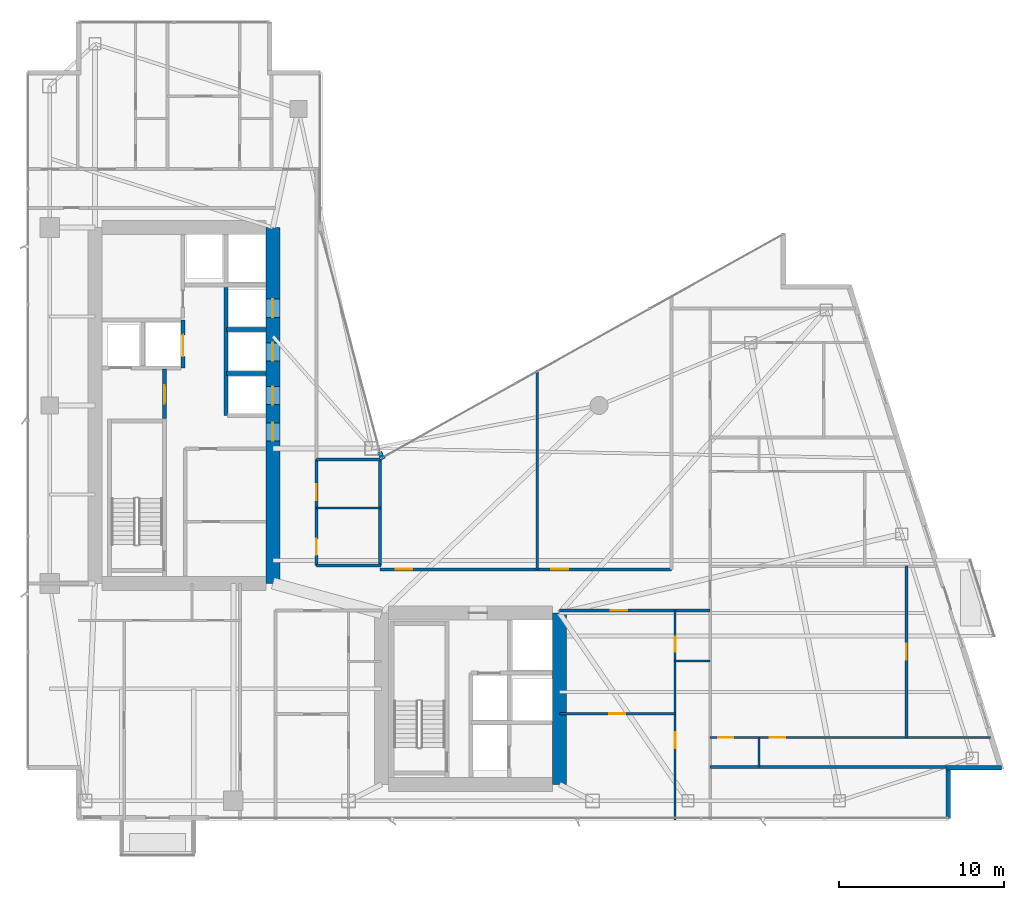
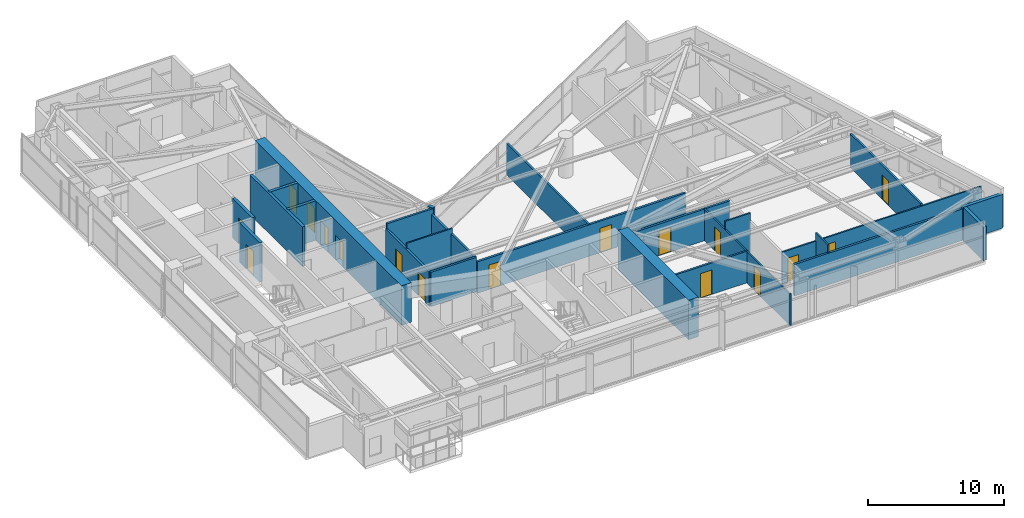
# One storey, part 23 of 28: 25 walls, 17 doors, 17 openings.
"""IFC4 building model written with IfcOpenShell, lengths in metres."""

from ifc_helpers import new_model, si_unit, direction, frame, frame_2d, origin, place, context, subcontext, project, spatial, rectangle, extrude, material, layer, layer_set, type_object, element, fill, save


model = new_model("IFC4")

# Units and contexts
model_context = context("Model", 3, precision=1e-05, world=origin(), true_north=direction((0.0, 1.0)))
body_context = subcontext(model_context, "Body", "Model", "MODEL_VIEW")
ifc_project = project(units=[si_unit("LENGTHUNIT", "METRE"), si_unit("AREAUNIT", "SQUARE_METRE"), si_unit("VOLUMEUNIT", "CUBIC_METRE"), si_unit("PLANEANGLEUNIT", "RADIAN"), si_unit("MASSUNIT", "GRAM", prefix="KILO")], contexts=[model_context])

# Site, building, storey
site_placement = place(None, origin())
site = spatial("IfcSite", under=ifc_project, at=site_placement, CompositionType="ELEMENT")
building_placement = place(site_placement, origin())
building = spatial("IfcBuilding", under=site, at=building_placement, Name="Calvorn Quay Hotel", CompositionType="ELEMENT")
storey_placement = place(building_placement, frame((0.0, 0.0, 127.800048828125)))
storey = spatial("IfcBuildingStorey", under=building, at=storey_placement, Name="L31", CompositionType="ELEMENT", Elevation=127.800048828125)

# Wall, openings, doors
ifc_material_1 = material(Name="Concrete C50", Category="concrete")
ifc_layer_1 = layer(ifc_material_1, 0.85009765625)
ifc_layer_set_1 = layer_set([ifc_layer_1], Name="WL-CORE-850")
wall_type_1 = type_object("IfcWallType", Name="WL-CORE-850", PredefinedType="SHEAR", material=ifc_layer_set_1)
wall_1_placement = place(storey_placement, frame((15.0, 16.800048828125, 0.0), z_axis=(0.0, 0.0, 1.0), x_axis=(0.0, 1.0, 0.0)))
wall_1 = element("IfcWall", 1, at=wall_1_placement, inside=storey, type_object=wall_type_1, Name="West Core Shear Wall E (L31)", PredefinedType="SHEAR", context=body_context, shape_type="SweptSolid", body=[
    extrude(rectangle(XDim=21.599853515625, YDim=0.85009765625, at=frame_2d((10.7998046875, 0.0))), origin(), (0.0, 0.0, 1.0), 3.56005859375),
])
opening_1_placement = place(wall_1_placement, frame((8.64990234375, 0.0, 0.0)))
opening_1 = element("IfcOpeningElement", 2, at=opening_1_placement, cuts=wall_1, Name="Opening D-L31-CW1", PredefinedType="OPENING", context=body_context, shape_type="SweptSolid", body=[
    extrude(rectangle(XDim=1.10009765625, YDim=2.199951171875, at=frame_2d((0.550048828125, 1.10009765625))), frame((0.0, 0.43505859375, 0.0), z_axis=(0.0, -1.0, 0.0), x_axis=(1.0, 0.0, 0.0)), (0.0, 0.0, 1.0), 0.8701171875),
])
opening_2_placement = place(wall_1_placement, frame((10.85009765625, 0.0, 0.0)))
opening_2 = element("IfcOpeningElement", 3, at=opening_2_placement, cuts=wall_1, Name="Opening LD-L31-M1", PredefinedType="OPENING", context=body_context, shape_type="SweptSolid", body=[
    extrude(rectangle(XDim=1.10009765625, YDim=2.199951171875, at=frame_2d((0.550048828125, 1.10009765625))), frame((0.0, 0.43505859375, 0.0), z_axis=(0.0, -1.0, 0.0), x_axis=(1.0, 0.0, 0.0)), (0.0, 0.0, 1.0), 0.8701171875),
])
opening_3_placement = place(wall_1_placement, frame((13.5, 0.0, 0.0)))
opening_3 = element("IfcOpeningElement", 4, at=opening_3_placement, cuts=wall_1, Name="Opening LD-L31-M2", PredefinedType="OPENING", context=body_context, shape_type="SweptSolid", body=[
    extrude(rectangle(XDim=1.10009765625, YDim=2.199951171875, at=frame_2d((0.550048828125, 1.10009765625))), frame((0.0, 0.43505859375, 0.0), z_axis=(0.0, -1.0, 0.0), x_axis=(1.0, 0.0, 0.0)), (0.0, 0.0, 1.0), 0.8701171875),
])
opening_4_placement = place(wall_1_placement, frame((16.14990234375, 0.0, 0.0)))
opening_4 = element("IfcOpeningElement", 5, at=opening_4_placement, cuts=wall_1, Name="Opening LD-L31-M3", PredefinedType="OPENING", context=body_context, shape_type="SweptSolid", body=[
    extrude(rectangle(XDim=1.10009765625, YDim=2.199951171875, at=frame_2d((0.550048828125, 1.10009765625))), frame((0.0, 0.43505859375, 0.0), z_axis=(0.0, -1.0, 0.0), x_axis=(1.0, 0.0, 0.0)), (0.0, 0.0, 1.0), 0.8701171875),
])
ifc_material_2 = material(Name="Smoke-Sealed Steel Class A Fire Door", Category="steel")
door_type_1 = type_object("IfcDoorType", Name="DR-FFLOBBY-1100", OperationType="NOTDEFINED", PredefinedType="DOOR", material=ifc_material_2)
door_1_placement = place(opening_1_placement, origin())
door_1 = element("IfcDoor", 6, at=door_1_placement, inside=storey, type_object=door_type_1, Name="West Core Vestibule Fire Door (L31)", OperationType="SINGLE_SWING_RIGHT", OverallHeight=2.199951171875, OverallWidth=1.10009765625, PredefinedType="DOOR", context=body_context, shape_type="SweptSolid", body=[
    extrude(rectangle(XDim=1.10009765625, YDim=2.199951171875, at=frame_2d((0.550048828125, 1.10009765625))), frame((0.0, 0.02490234375, 0.0), z_axis=(0.0, -1.0, 0.0), x_axis=(1.0, 0.0, 0.0)), (0.0, 0.0, 1.0), 0.050048828125),
])
fill(opening_1, door_1)
ifc_material_3 = material(Name="Brushed Stainless Steel Sliding Lift Landing Door", Category="steel")
door_type_2 = type_object("IfcDoorType", Name="DR-LIFT-PASS-1100", OperationType="NOTDEFINED", PredefinedType="DOOR", material=ifc_material_3)
door_2_placement = place(opening_2_placement, origin())
door_2 = element("IfcDoor", 7, at=door_2_placement, inside=storey, type_object=door_type_2, Name="Mid-Rise Lift PL-M1 Landing Door (L31)", OperationType="DOUBLE_DOOR_SLIDING", OverallHeight=2.199951171875, OverallWidth=1.10009765625, PredefinedType="DOOR", context=body_context, shape_type="SweptSolid", body=[
    extrude(rectangle(XDim=1.10009765625, YDim=2.199951171875, at=frame_2d((0.550048828125, 1.10009765625))), frame((0.0, 0.02490234375, 0.0), z_axis=(0.0, -1.0, 0.0), x_axis=(1.0, 0.0, 0.0)), (0.0, 0.0, 1.0), 0.050048828125),
])
fill(opening_2, door_2)
door_3_placement = place(opening_3_placement, origin())
door_3 = element("IfcDoor", 8, at=door_3_placement, inside=storey, type_object=door_type_2, Name="Mid-Rise Lift PL-M2 Landing Door (L31)", OperationType="DOUBLE_DOOR_SLIDING", OverallHeight=2.199951171875, OverallWidth=1.10009765625, PredefinedType="DOOR", context=body_context, shape_type="SweptSolid", body=[
    extrude(rectangle(XDim=1.10009765625, YDim=2.199951171875, at=frame_2d((0.550048828125, 1.10009765625))), frame((0.0, 0.02490234375, 0.0), z_axis=(0.0, -1.0, 0.0), x_axis=(1.0, 0.0, 0.0)), (0.0, 0.0, 1.0), 0.050048828125),
])
fill(opening_3, door_3)
door_4_placement = place(opening_4_placement, origin())
door_4 = element("IfcDoor", 9, at=door_4_placement, inside=storey, type_object=door_type_2, Name="Mid-Rise Lift PL-M3 Landing Door (L31)", OperationType="DOUBLE_DOOR_SLIDING", OverallHeight=2.199951171875, OverallWidth=1.10009765625, PredefinedType="DOOR", context=body_context, shape_type="SweptSolid", body=[
    extrude(rectangle(XDim=1.10009765625, YDim=2.199951171875, at=frame_2d((0.550048828125, 1.10009765625))), frame((0.0, 0.02490234375, 0.0), z_axis=(0.0, -1.0, 0.0), x_axis=(1.0, 0.0, 0.0)), (0.0, 0.0, 1.0), 0.050048828125),
])
fill(opening_4, door_4)

# Walls
wall_2_placement = place(storey_placement, frame((32.39990234375, 4.60009765625, 0.0), z_axis=(0.0, 0.0, 1.0), x_axis=(0.0, 1.0, 0.0)))
element("IfcWall", 10, at=wall_2_placement, inside=storey, type_object=wall_type_1, Name="East Core Shear Wall E (L31)", PredefinedType="SHEAR", context=body_context, shape_type="SweptSolid", body=[
    extrude(rectangle(XDim=10.39990234375, YDim=0.85009765625, at=frame_2d((5.199951171875, 0.0))), origin(), (0.0, 0.0, 1.0), 3.56005859375),
])
ifc_material_4 = material(Name="Acoustic Fireboard Steel-Stud Partition", Category="steel")
ifc_layer_2 = layer(ifc_material_4, 0.179931640625)
ifc_layer_set_2 = layer_set([ifc_layer_2], Name="WL-CORR-FIRE-180")
wall_type_2 = type_object("IfcWallType", Name="WL-CORR-FIRE-180", PredefinedType="PARTITIONING", material=ifc_layer_set_2)
wall_3_placement = place(storey_placement, frame((17.64990234375, 17.8798828125, 0.0), z_axis=(0.0, 0.0, 1.0), x_axis=(1.0, 0.0, 0.0)))
element("IfcWall", 11, at=wall_3_placement, inside=storey, type_object=wall_type_2, Name="Partition Wall L31-WL-HK-S", PredefinedType="PARTITIONING", context=body_context, shape_type="SweptSolid", body=[
    extrude(rectangle(XDim=3.900146484375, YDim=0.179931640625, at=frame_2d((1.9501953125, 0.0))), origin(), (0.0, 0.0, 1.0), 3.08984375),
])
wall_4_placement = place(storey_placement, frame((17.64990234375, 24.320068359375, 0.0), z_axis=(0.0, 0.0, 1.0), x_axis=(1.0, 0.0, 0.0)))
element("IfcWall", 12, at=wall_4_placement, inside=storey, type_object=wall_type_2, Name="Partition Wall L31-WL-HK-N", PredefinedType="PARTITIONING", context=body_context, shape_type="SweptSolid", body=[
    extrude(rectangle(XDim=3.9501953125, YDim=0.179931640625, at=frame_2d((1.97509765625, 0.0))), origin(), (0.0, 0.0, 1.0), 3.56005859375),
])
wall_5_placement = place(storey_placement, frame((21.5, 17.8798828125, 0.0), z_axis=(0.0, 0.0, 1.0), x_axis=(0.0, 1.0, 0.0)))
element("IfcWall", 13, at=wall_5_placement, inside=storey, type_object=wall_type_2, Name="Partition Wall L31-WL-HK-E", PredefinedType="PARTITIONING", context=body_context, shape_type="SweptSolid", body=[
    extrude(rectangle(XDim=6.440185546875, YDim=0.179931640625, at=frame_2d((3.22021484375, 0.0))), origin(), (0.0, 0.0, 1.0), 3.08984375),
])

# Wall, openings, doors
wall_6_placement = place(storey_placement, frame((17.64990234375, 17.8798828125, 0.0), z_axis=(0.0, 0.0, 1.0), x_axis=(0.0, 1.0, 0.0)))
wall_6 = element("IfcWall", 14, at=wall_6_placement, inside=storey, type_object=wall_type_2, Name="Partition Wall L31-WL-HK-W", PredefinedType="PARTITIONING", context=body_context, shape_type="SweptSolid", body=[
    extrude(rectangle(XDim=6.440185546875, YDim=0.179931640625, at=frame_2d((3.22021484375, 0.0))), origin(), (0.0, 0.0, 1.0), 3.08984375),
])
opening_5_placement = place(wall_6_placement, frame((0.64990234375, 0.0, 0.0)))
opening_5 = element("IfcOpeningElement", 15, at=opening_5_placement, cuts=wall_6, Name="Opening D-L31-HK", PredefinedType="OPENING", context=body_context, shape_type="SweptSolid", body=[
    extrude(rectangle(XDim=0.97998046875, YDim=2.14990234375, at=frame_2d((0.489990234375, 1.074951171875))), frame((0.0, 0.099853515625, 0.0), z_axis=(0.0, -1.0, 0.0), x_axis=(1.0, 0.0, 0.0)), (0.0, 0.0, 1.0), 0.199951171875),
])
opening_6_placement = place(wall_6_placement, frame((3.969970703125, 0.0, 0.0)))
opening_6 = element("IfcOpeningElement", 16, at=opening_6_placement, cuts=wall_6, Name="Opening D-L31-NCP", PredefinedType="OPENING", context=body_context, shape_type="SweptSolid", body=[
    extrude(rectangle(XDim=0.9599609375, YDim=2.199951171875, at=frame_2d((0.47998046875, 1.10009765625))), frame((0.0, 0.099853515625, 0.0), z_axis=(0.0, -1.0, 0.0), x_axis=(1.0, 0.0, 0.0)), (0.0, 0.0, 1.0), 0.199951171875),
])
ifc_material_5 = material(Name="Painted Steel Housekeeping/Riser Fire Door", Category="steel")
door_type_3 = type_object("IfcDoorType", Name="DR-SERVICE-980", OperationType="NOTDEFINED", PredefinedType="DOOR", material=ifc_material_5)
door_5_placement = place(opening_5_placement, origin())
door_5 = element("IfcDoor", 17, at=door_5_placement, inside=storey, type_object=door_type_3, Name="Floor Housekeeping Door (L31)", OperationType="SINGLE_SWING_LEFT", OverallHeight=2.14990234375, OverallWidth=0.97998046875, PredefinedType="DOOR", context=body_context, shape_type="SweptSolid", body=[
    extrude(rectangle(XDim=0.97998046875, YDim=2.14990234375, at=frame_2d((0.489990234375, 1.074951171875))), frame((0.0, 0.02490234375, 0.0), z_axis=(0.0, -1.0, 0.0), x_axis=(1.0, 0.0, 0.0)), (0.0, 0.0, 1.0), 0.050048828125),
])
fill(opening_5, door_5)
ifc_material_6 = material(Name="Solid Timber Internal Suite Door", Category="wood")
door_type_4 = type_object("IfcDoorType", Name="DR-SUITE-INT-960", OperationType="NOTDEFINED", PredefinedType="DOOR", material=ifc_material_6)
door_6_placement = place(opening_6_placement, origin())
door_6 = element("IfcDoor", 18, at=door_6_placement, inside=storey, type_object=door_type_4, Name="Reading Alcove Door (L31)", OperationType="SINGLE_SWING_RIGHT", OverallHeight=2.199951171875, OverallWidth=0.9599609375, PredefinedType="DOOR", context=body_context, shape_type="SweptSolid", body=[
    extrude(rectangle(XDim=0.9599609375, YDim=2.199951171875, at=frame_2d((0.47998046875, 1.10009765625))), frame((0.0, 0.02490234375, 0.0), z_axis=(0.0, -1.0, 0.0), x_axis=(1.0, 0.0, 0.0)), (0.0, 0.0, 1.0), 0.050048828125),
])
fill(opening_6, door_6)

# Wall, opening, door
wall_7_placement = place(storey_placement, frame((32.39990234375, 15.14990234375, 0.0), z_axis=(0.0, 0.0, 1.0), x_axis=(1.0, 0.0, 0.0)))
wall_7 = element("IfcWall", 19, at=wall_7_placement, inside=storey, type_object=wall_type_2, Name="Partition Wall L31-WL-CORR-SE-S", PredefinedType="PARTITIONING", context=body_context, shape_type="SweptSolid", body=[
    extrude(rectangle(XDim=9.150146484375, YDim=0.179931640625, at=frame_2d((4.5751953125, 0.0))), origin(), (0.0, 0.0, 1.0), 2.83984375),
])
opening_7_placement = place(wall_7_placement, frame((3.10009765625, 0.0, 0.0)))
opening_7 = element("IfcOpeningElement", 20, at=opening_7_placement, cuts=wall_7, Name="Opening D-L31-U05", PredefinedType="OPENING", context=body_context, shape_type="SweptSolid", body=[
    extrude(rectangle(XDim=1.02001953125, YDim=2.199951171875, at=frame_2d((0.510009765625, 1.10009765625))), frame((0.0, 0.099853515625, 0.0), z_axis=(0.0, -1.0, 0.0), x_axis=(1.0, 0.0, 0.0)), (0.0, 0.0, 1.0), 0.199951171875),
])
ifc_material_7 = material(Name="Solid-Core Walnut Veneer Hotel Fire Door")
door_type_5 = type_object("IfcDoorType", Name="DR-GUEST-ENTRY-1020", OperationType="NOTDEFINED", PredefinedType="DOOR", material=ifc_material_7)
door_7_placement = place(opening_7_placement, origin())
door_7 = element("IfcDoor", 21, at=door_7_placement, inside=storey, type_object=door_type_5, Name="South-East Unit Door U05 (L31)", OperationType="SINGLE_SWING_LEFT", OverallHeight=2.199951171875, OverallWidth=1.02001953125, PredefinedType="DOOR", context=body_context, shape_type="SweptSolid", body=[
    extrude(rectangle(XDim=1.02001953125, YDim=2.199951171875, at=frame_2d((0.510009765625, 1.10009765625))), frame((0.0, 0.02490234375, 0.0), z_axis=(0.0, -1.0, 0.0), x_axis=(1.0, 0.0, 0.0)), (0.0, 0.0, 1.0), 0.050048828125),
])
fill(opening_7, door_7)

# Wall, openings, doors
wall_8_placement = place(storey_placement, frame((21.5, 17.64990234375, 0.0), z_axis=(0.0, 0.0, 1.0), x_axis=(1.0, 0.0, 0.0)))
wall_8 = element("IfcWall", 22, at=wall_8_placement, inside=storey, type_object=wall_type_2, Name="Partition Wall L31-WL-CORR-NE-N", PredefinedType="PARTITIONING", context=body_context, shape_type="SweptSolid", body=[
    extrude(rectangle(XDim=17.699951171875, YDim=0.179931640625, at=frame_2d((8.85009765625, 0.0))), origin(), (0.0, 0.0, 1.0), 2.83984375),
])
opening_8_placement = place(wall_8_placement, frame((0.949951171875, 0.0, 0.0)))
opening_8 = element("IfcOpeningElement", 23, at=opening_8_placement, cuts=wall_8, Name="Opening D-L31-NS1", PredefinedType="OPENING", context=body_context, shape_type="SweptSolid", body=[
    extrude(rectangle(XDim=1.02001953125, YDim=2.199951171875, at=frame_2d((0.510009765625, 1.10009765625))), frame((0.0, 0.099853515625, 0.0), z_axis=(0.0, -1.0, 0.0), x_axis=(1.0, 0.0, 0.0)), (0.0, 0.0, 1.0), 0.199951171875),
])
opening_9_placement = place(wall_8_placement, frame((10.39990234375, 0.0, 0.0)))
opening_9 = element("IfcOpeningElement", 24, at=opening_9_placement, cuts=wall_8, Name="Opening D-L31-NS2", PredefinedType="OPENING", context=body_context, shape_type="SweptSolid", body=[
    extrude(rectangle(XDim=1.02001953125, YDim=2.199951171875, at=frame_2d((0.510009765625, 1.10009765625))), frame((0.0, 0.099853515625, 0.0), z_axis=(0.0, -1.0, 0.0), x_axis=(1.0, 0.0, 0.0)), (0.0, 0.0, 1.0), 0.199951171875),
])
door_8_placement = place(opening_8_placement, origin())
door_8 = element("IfcDoor", 25, at=door_8_placement, inside=storey, type_object=door_type_5, Name="Conservatory Salon Door 1 (L31)", OperationType="SINGLE_SWING_RIGHT", OverallHeight=2.199951171875, OverallWidth=1.02001953125, PredefinedType="DOOR", context=body_context, shape_type="SweptSolid", body=[
    extrude(rectangle(XDim=1.02001953125, YDim=2.199951171875, at=frame_2d((0.510009765625, 1.10009765625))), frame((0.0, 0.02490234375, 0.0), z_axis=(0.0, -1.0, 0.0), x_axis=(1.0, 0.0, 0.0)), (0.0, 0.0, 1.0), 0.050048828125),
])
fill(opening_8, door_8)
door_9_placement = place(opening_9_placement, origin())
door_9 = element("IfcDoor", 26, at=door_9_placement, inside=storey, type_object=door_type_5, Name="Conservatory Salon Door 2 (L31)", OperationType="SINGLE_SWING_LEFT", OverallHeight=2.199951171875, OverallWidth=1.02001953125, PredefinedType="DOOR", context=body_context, shape_type="SweptSolid", body=[
    extrude(rectangle(XDim=1.02001953125, YDim=2.199951171875, at=frame_2d((0.510009765625, 1.10009765625))), frame((0.0, 0.02490234375, 0.0), z_axis=(0.0, -1.0, 0.0), x_axis=(1.0, 0.0, 0.0)), (0.0, 0.0, 1.0), 0.050048828125),
])
fill(opening_9, door_9)

# Walls
wall_9_placement = place(storey_placement, frame((41.550048828125, 5.659912109375, 0.0), z_axis=(0.0, 0.0, 1.0), x_axis=(1.0, 0.0, 0.0)))
element("IfcWall", 27, at=wall_9_placement, inside=storey, type_object=wall_type_2, Name="Partition Wall L31-WL-TIP-S", PredefinedType="PARTITIONING", context=body_context, shape_type="SweptSolid", body=[
    extrude(rectangle(XDim=14.449951171875, YDim=0.179931640625, at=frame_2d((7.22509765625, 0.0))), origin(), (0.0, 0.0, 1.0), 2.83984375),
])
ifc_material_8 = material(Name="Moisture-Resistant Tile-Backed Partition")
ifc_layer_3 = layer(ifc_material_8, 0.125)
ifc_layer_set_3 = layer_set([ifc_layer_3], Name="WL-ENSUITE-125")
wall_type_3 = type_object("IfcWallType", Name="WL-ENSUITE-125", PredefinedType="PARTITIONING", material=ifc_layer_set_3)
wall_10_placement = place(storey_placement, frame((17.64990234375, 21.3798828125, 0.0), z_axis=(0.0, 0.0, 1.0), x_axis=(1.0, 0.0, 0.0)))
element("IfcWall", 28, at=wall_10_placement, inside=storey, type_object=wall_type_3, Name="Partition Wall L31-WL-HK-M", PredefinedType="PARTITIONING", context=body_context, shape_type="SweptSolid", body=[
    extrude(rectangle(XDim=3.900146484375, YDim=0.125, at=frame_2d((1.9501953125, 0.0))), origin(), (0.0, 0.0, 1.0), 3.56005859375),
])
wall_11_placement = place(storey_placement, frame((39.419921875, 12.10009765625, 0.0), z_axis=(0.0, 0.0, 1.0), x_axis=(1.0, 0.0, 0.0)))
element("IfcWall", 29, at=wall_11_placement, inside=storey, type_object=wall_type_3, Name="Partition Wall L31-WL-U05-BDV", PredefinedType="PARTITIONING", context=body_context, shape_type="SweptSolid", body=[
    extrude(rectangle(XDim=2.130126953125, YDim=0.125, at=frame_2d((1.06494140625, 0.0))), origin(), (0.0, 0.0, 1.0), 3.56005859375),
])

# Wall, openings, doors
wall_12_placement = place(storey_placement, frame((39.419921875, 2.43994140625, 0.0), z_axis=(0.0, 0.0, 1.0), x_axis=(0.0, 1.0, 0.0)))
wall_12 = element("IfcWall", 30, at=wall_12_placement, inside=storey, type_object=wall_type_3, Name="Partition Wall L31-WL-U05-BV", PredefinedType="PARTITIONING", context=body_context, shape_type="SweptSolid", body=[
    extrude(rectangle(XDim=12.7099609375, YDim=0.125, at=frame_2d((6.35498046875, 0.0))), origin(), (0.0, 0.0, 1.0), 2.83984375),
])
opening_10_placement = place(wall_12_placement, frame((4.35009765625, 0.0, 0.0)))
opening_10 = element("IfcOpeningElement", 31, at=opening_10_placement, cuts=wall_12, Name="Opening D-L31-S05", PredefinedType="OPENING", context=body_context, shape_type="SweptSolid", body=[
    extrude(rectangle(XDim=0.9599609375, YDim=2.199951171875, at=frame_2d((0.47998046875, 1.10009765625))), frame((0.0, 0.072509765625, 0.0), z_axis=(0.0, -1.0, 0.0), x_axis=(1.0, 0.0, 0.0)), (0.0, 0.0, 1.0), 0.14501953125),
])
opening_11_placement = place(wall_12_placement, frame((10.2099609375, 0.0, 0.0)))
opening_11 = element("IfcOpeningElement", 32, at=opening_11_placement, cuts=wall_12, Name="Opening D-L31-E05", PredefinedType="OPENING", context=body_context, shape_type="SweptSolid", body=[
    extrude(rectangle(XDim=0.89990234375, YDim=2.14990234375, at=frame_2d((0.449951171875, 1.074951171875))), frame((0.0, 0.072509765625, 0.0), z_axis=(0.0, -1.0, 0.0), x_axis=(1.0, 0.0, 0.0)), (0.0, 0.0, 1.0), 0.14501953125),
])
ifc_material_9 = material(Name="Moisture-Sealed Timber En-Suite Door", Category="wood")
door_type_6 = type_object("IfcDoorType", Name="DR-ENSUITE-900", OperationType="NOTDEFINED", PredefinedType="DOOR", material=ifc_material_9)
door_10_placement = place(opening_11_placement, origin())
door_10 = element("IfcDoor", 33, at=door_10_placement, inside=storey, type_object=door_type_6, Name="En-Suite Door 05", OperationType="SINGLE_SWING_RIGHT", OverallHeight=2.14990234375, OverallWidth=0.89990234375, PredefinedType="DOOR", context=body_context, shape_type="SweptSolid", body=[
    extrude(rectangle(XDim=0.89990234375, YDim=2.14990234375, at=frame_2d((0.449951171875, 1.074951171875))), frame((0.0, 0.02490234375, 0.0), z_axis=(0.0, -1.0, 0.0), x_axis=(1.0, 0.0, 0.0)), (0.0, 0.0, 1.0), 0.050048828125),
])
fill(opening_11, door_10)
door_11_placement = place(opening_10_placement, origin())
door_11 = element("IfcDoor", 34, at=door_11_placement, inside=storey, type_object=door_type_4, Name="Walk-In Wardrobe Door 05", OperationType="SINGLE_SWING_LEFT", OverallHeight=2.199951171875, OverallWidth=0.9599609375, PredefinedType="DOOR", context=body_context, shape_type="SweptSolid", body=[
    extrude(rectangle(XDim=0.9599609375, YDim=2.199951171875, at=frame_2d((0.47998046875, 1.10009765625))), frame((0.0, 0.02490234375, 0.0), z_axis=(0.0, -1.0, 0.0), x_axis=(1.0, 0.0, 0.0)), (0.0, 0.0, 1.0), 0.050048828125),
])
fill(opening_10, door_11)

# Wall
wall_13_placement = place(storey_placement, frame((44.5, 5.659912109375, 0.0), z_axis=(0.0, 0.0, 1.0), x_axis=(0.0, 1.0, 0.0)))
element("IfcWall", 35, at=wall_13_placement, inside=storey, type_object=wall_type_3, Name="Partition Wall L31-WL-U06-BDV", PredefinedType="PARTITIONING", context=body_context, shape_type="SweptSolid", body=[
    extrude(rectangle(XDim=1.7900390625, YDim=0.125, at=frame_2d((0.89501953125, 0.0))), origin(), (0.0, 0.0, 1.0), 3.56005859375),
])

# Wall, openings, doors
wall_14_placement = place(storey_placement, frame((41.550048828125, 7.449951171875, 0.0), z_axis=(0.0, 0.0, 1.0), x_axis=(1.0, 0.0, 0.0)))
wall_14 = element("IfcWall", 36, at=wall_14_placement, inside=storey, type_object=wall_type_3, Name="Partition Wall L31-WL-U06-BH", PredefinedType="PARTITIONING", context=body_context, shape_type="SweptSolid", body=[
    extrude(rectangle(XDim=17.010009765625, YDim=0.125, at=frame_2d((8.5048828125, 0.0))), origin(), (0.0, 0.0, 1.0), 2.83984375),
])
opening_12_placement = place(wall_14_placement, frame((0.5, 0.0, 0.0)))
opening_12 = element("IfcOpeningElement", 37, at=opening_12_placement, cuts=wall_14, Name="Opening D-L31-E06", PredefinedType="OPENING", context=body_context, shape_type="SweptSolid", body=[
    extrude(rectangle(XDim=0.89990234375, YDim=2.14990234375, at=frame_2d((0.449951171875, 1.074951171875))), frame((0.0, 0.072509765625, 0.0), z_axis=(0.0, -1.0, 0.0), x_axis=(1.0, 0.0, 0.0)), (0.0, 0.0, 1.0), 0.14501953125),
])
opening_13_placement = place(wall_14_placement, frame((3.60009765625, 0.0, 0.0)))
opening_13 = element("IfcOpeningElement", 38, at=opening_13_placement, cuts=wall_14, Name="Opening D-L31-S06", PredefinedType="OPENING", context=body_context, shape_type="SweptSolid", body=[
    extrude(rectangle(XDim=0.9599609375, YDim=2.199951171875, at=frame_2d((0.47998046875, 1.10009765625))), frame((0.0, 0.072509765625, 0.0), z_axis=(0.0, -1.0, 0.0), x_axis=(1.0, 0.0, 0.0)), (0.0, 0.0, 1.0), 0.14501953125),
])
door_12_placement = place(opening_12_placement, origin())
door_12 = element("IfcDoor", 39, at=door_12_placement, inside=storey, type_object=door_type_6, Name="En-Suite Door 06", OperationType="SINGLE_SWING_LEFT", OverallHeight=2.14990234375, OverallWidth=0.89990234375, PredefinedType="DOOR", context=body_context, shape_type="SweptSolid", body=[
    extrude(rectangle(XDim=0.89990234375, YDim=2.14990234375, at=frame_2d((0.449951171875, 1.074951171875))), frame((0.0, 0.02490234375, 0.0), z_axis=(0.0, -1.0, 0.0), x_axis=(1.0, 0.0, 0.0)), (0.0, 0.0, 1.0), 0.050048828125),
])
fill(opening_12, door_12)
door_13_placement = place(opening_13_placement, origin())
door_13 = element("IfcDoor", 40, at=door_13_placement, inside=storey, type_object=door_type_4, Name="Walk-In Wardrobe Door 06", OperationType="SINGLE_SWING_RIGHT", OverallHeight=2.199951171875, OverallWidth=0.9599609375, PredefinedType="DOOR", context=body_context, shape_type="SweptSolid", body=[
    extrude(rectangle(XDim=0.9599609375, YDim=2.199951171875, at=frame_2d((0.47998046875, 1.10009765625))), frame((0.0, 0.02490234375, 0.0), z_axis=(0.0, -1.0, 0.0), x_axis=(1.0, 0.0, 0.0)), (0.0, 0.0, 1.0), 0.050048828125),
])
fill(opening_13, door_13)

# Walls
ifc_material_10 = material(Name="Concrete C40", Category="concrete")
ifc_layer_4 = layer(ifc_material_10, 0.320068359375)
ifc_layer_set_4 = layer_set([ifc_layer_4], Name="WL-EXT-SPANDREL-320")
wall_type_4 = type_object("IfcWallType", Name="WL-EXT-SPANDREL-320", PredefinedType="SOLIDWALL", material=ifc_layer_set_4)
wall_15_placement = place(storey_placement, frame((21.679931640625, 24.340087890625, 0.0), z_axis=(0.0, 0.0, 1.0), x_axis=(-0.40758134973, 0.913168901875, 0.0)))
element("IfcWall", 41, at=wall_15_placement, inside=storey, type_object=wall_type_4, Name="Inner Court Corner Pier L31-ICJ1", PredefinedType="SOLIDWALL", context=body_context, shape_type="SweptSolid", body=[
    extrude(rectangle(XDim=0.470703125, YDim=0.280029296875, at=frame_2d((0.2353515625, 0.0))), origin(), (0.0, 0.0, 1.0), 3.56005859375),
])
wall_16_placement = place(storey_placement, frame((56.0, 2.52001953125, 0.0), z_axis=(0.0, 0.0, 1.0), x_axis=(0.0, 1.0, 0.0)))
element("IfcWall", 42, at=wall_16_placement, inside=storey, type_object=wall_type_4, Name="Notched Corner Spandrel L31-SE1", PredefinedType="SOLIDWALL", context=body_context, shape_type="SweptSolid", body=[
    extrude(rectangle(XDim=2.93994140625, YDim=0.280029296875, at=frame_2d((1.469970703125, 0.0))), origin(), (0.0, 0.0, 1.0), 3.0400390625),
])
wall_17_placement = place(storey_placement, frame((55.860107421875, 5.60009765625, 0.0), z_axis=(0.0, 0.0, 1.0), x_axis=(1.0, 0.0, 0.0)))
element("IfcWall", 43, at=wall_17_placement, inside=storey, type_object=wall_type_4, Name="Notched Corner Spandrel L31-SE2", PredefinedType="SOLIDWALL", context=body_context, shape_type="SweptSolid", body=[
    extrude(rectangle(XDim=3.3798828125, YDim=0.280029296875, at=frame_2d((1.68994140625, 0.0))), origin(), (0.0, 0.0, 1.0), 3.0400390625),
])

# Wall, opening, door
ifc_material_11 = material(Name="Double-Stud Acoustic Gypsum Partition")
ifc_layer_5 = layer(ifc_material_11, 0.159912109375)
ifc_layer_set_5 = layer_set([ifc_layer_5], Name="WL-INTERSUITE-160")
wall_type_5 = type_object("IfcWallType", Name="WL-INTERSUITE-160", PredefinedType="PARTITIONING", material=ifc_layer_set_5)
wall_18_placement = place(storey_placement, frame((32.39990234375, 8.8798828125, 0.0), z_axis=(0.0, 0.0, 1.0), x_axis=(1.0, 0.0, 0.0)))
wall_18 = element("IfcWall", 44, at=wall_18_placement, inside=storey, type_object=wall_type_5, Name="Partition Wall L31-WL-U05-MSP", PredefinedType="PARTITIONING", context=body_context, shape_type="SweptSolid", body=[
    extrude(rectangle(XDim=7.02001953125, YDim=0.159912109375, at=frame_2d((3.510009765625, 0.0))), origin(), (0.0, 0.0, 1.0), 2.83984375),
])
opening_14_placement = place(wall_18_placement, frame((3.030029296875, 0.0, 0.0)))
opening_14 = element("IfcOpeningElement", 45, at=opening_14_placement, cuts=wall_18, Name="Opening D-L31-M05", PredefinedType="OPENING", context=body_context, shape_type="SweptSolid", body=[
    extrude(rectangle(XDim=0.9599609375, YDim=2.199951171875, at=frame_2d((0.47998046875, 1.10009765625))), frame((0.0, 0.08984375, 0.0), z_axis=(0.0, -1.0, 0.0), x_axis=(1.0, 0.0, 0.0)), (0.0, 0.0, 1.0), 0.179931640625),
])
door_14_placement = place(opening_14_placement, origin())
door_14 = element("IfcDoor", 46, at=door_14_placement, inside=storey, type_object=door_type_4, Name="Suite Bedroom Door 05", OperationType="SINGLE_SWING_LEFT", OverallHeight=2.199951171875, OverallWidth=0.9599609375, PredefinedType="DOOR", context=body_context, shape_type="SweptSolid", body=[
    extrude(rectangle(XDim=0.9599609375, YDim=2.199951171875, at=frame_2d((0.47998046875, 1.10009765625))), frame((0.0, 0.02490234375, 0.0), z_axis=(0.0, -1.0, 0.0), x_axis=(1.0, 0.0, 0.0)), (0.0, 0.0, 1.0), 0.050048828125),
])
fill(opening_14, door_14)

# Wall
wall_19_placement = place(storey_placement, frame((31.050048828125, 17.64990234375, 0.0), z_axis=(0.0, 0.0, 1.0), x_axis=(0.0, 1.0, 0.0)))
element("IfcWall", 47, at=wall_19_placement, inside=storey, type_object=wall_type_5, Name="Partition Wall L31-WL-NE-DIV-1", PredefinedType="PARTITIONING", context=body_context, shape_type="SweptSolid", body=[
    extrude(rectangle(XDim=12.10009765625, YDim=0.159912109375, at=frame_2d((6.050048828125, 0.0))), origin(), (0.0, 0.0, 1.0), 2.83984375),
])

# Wall, opening, door
wall_20_placement = place(storey_placement, frame((53.4599609375, 7.449951171875, 0.0), z_axis=(0.0, 0.0, 1.0), x_axis=(0.0, 1.0, 0.0)))
wall_20 = element("IfcWall", 48, at=wall_20_placement, inside=storey, type_object=wall_type_5, Name="Partition Wall L31-WL-U06-MSP", PredefinedType="PARTITIONING", context=body_context, shape_type="SweptSolid", body=[
    extrude(rectangle(XDim=10.400146484375, YDim=0.159912109375, at=frame_2d((5.2001953125, 0.0))), origin(), (0.0, 0.0, 1.0), 3.0400390625),
])
opening_15_placement = place(wall_20_placement, frame((4.719970703125, 0.0, 0.0)))
opening_15 = element("IfcOpeningElement", 49, at=opening_15_placement, cuts=wall_20, Name="Opening D-L31-M06", PredefinedType="OPENING", context=body_context, shape_type="SweptSolid", body=[
    extrude(rectangle(XDim=0.9599609375, YDim=2.199951171875, at=frame_2d((0.47998046875, 1.10009765625))), frame((0.0, 0.08984375, 0.0), z_axis=(0.0, -1.0, 0.0), x_axis=(1.0, 0.0, 0.0)), (0.0, 0.0, 1.0), 0.179931640625),
])
door_15_placement = place(opening_15_placement, origin())
door_15 = element("IfcDoor", 50, at=door_15_placement, inside=storey, type_object=door_type_4, Name="Suite Bedroom Door 06", OperationType="SINGLE_SWING_LEFT", OverallHeight=2.199951171875, OverallWidth=0.9599609375, PredefinedType="DOOR", context=body_context, shape_type="SweptSolid", body=[
    extrude(rectangle(XDim=0.9599609375, YDim=2.199951171875, at=frame_2d((0.47998046875, 1.10009765625))), frame((0.0, 0.02490234375, 0.0), z_axis=(0.0, -1.0, 0.0), x_axis=(1.0, 0.0, 0.0)), (0.0, 0.0, 1.0), 0.050048828125),
])
fill(opening_15, door_15)

# Walls
ifc_material_12 = material(Name="Concrete C40", Category="concrete")
ifc_layer_6 = layer(ifc_material_12, 0.239990234375)
ifc_layer_set_6 = layer_set([ifc_layer_6], Name="WL-SHAFT-240")
wall_type_6 = type_object("IfcWallType", Name="WL-SHAFT-240", PredefinedType="SOLIDWALL", material=ifc_layer_set_6)
for number, where, z_axis, x_axis, name in (
    (51, (12.179931640625, 29.550048828125, 0.0), (0.0, 0.0, 1.0), (1.0, 0.0, 0.0), "Lift Hoistway Divider Wall PLM12 (L31)"),
    (52, (12.179931640625, 32.199951171875, 0.0), (0.0, 0.0, 1.0), (1.0, 0.0, 0.0), "Lift Hoistway Divider Wall PLM23 (L31)"),
):
    element("IfcWall", number, at=place(storey_placement, frame(where, z_axis=z_axis, x_axis=x_axis)), inside=storey, type_object=wall_type_6, Name=name, PredefinedType="SOLIDWALL", context=body_context, shape_type="SweptSolid", body=[
        extrude(rectangle(XDim=2.39501953125, YDim=0.239990234375, at=frame_2d((1.197509765625, 0.0))), origin(), (0.0, 0.0, 1.0), 3.56005859375),
    ])

# Wall, opening, door
wall_21_placement = place(storey_placement, frame((8.419921875, 26.820068359375, 0.0), z_axis=(0.0, 0.0, 1.0), x_axis=(0.0, 1.0, 0.0)))
wall_21 = element("IfcWall", 53, at=wall_21_placement, inside=storey, type_object=wall_type_6, Name="Partition Wall L31-WL-CWW-FFL-E", PredefinedType="SOLIDWALL", context=body_context, shape_type="SweptSolid", body=[
    extrude(rectangle(XDim=3.0, YDim=0.239990234375, at=frame_2d((1.5, 0.0))), origin(), (0.0, 0.0, 1.0), 3.56005859375),
])
opening_16_placement = place(wall_21_placement, frame((0.89990234375, 0.0, 0.0)))
opening_16 = element("IfcOpeningElement", 54, at=opening_16_placement, cuts=wall_21, Name="Opening D-L31-FLW", PredefinedType="OPENING", context=body_context, shape_type="SweptSolid", body=[
    extrude(rectangle(XDim=1.10009765625, YDim=2.199951171875, at=frame_2d((0.550048828125, 1.10009765625))), frame((0.0, 0.1298828125, 0.0), z_axis=(0.0, -1.0, 0.0), x_axis=(1.0, 0.0, 0.0)), (0.0, 0.0, 1.0), 0.260009765625),
])
door_16_placement = place(opening_16_placement, origin())
door_16 = element("IfcDoor", 55, at=door_16_placement, inside=storey, type_object=door_type_1, Name="West Firefighting Lobby Fire Door (L31)", OperationType="SINGLE_SWING_RIGHT", OverallHeight=2.199951171875, OverallWidth=1.10009765625, PredefinedType="DOOR", context=body_context, shape_type="SweptSolid", body=[
    extrude(rectangle(XDim=1.10009765625, YDim=2.199951171875, at=frame_2d((0.550048828125, 1.10009765625))), frame((0.0, 0.02490234375, 0.0), z_axis=(0.0, -1.0, 0.0), x_axis=(1.0, 0.0, 0.0)), (0.0, 0.0, 1.0), 0.050048828125),
])
fill(opening_16, door_16)

wall_22_placement = place(storey_placement, frame((9.5400390625, 29.8798828125, 0.0), z_axis=(0.0, 0.0, 1.0), x_axis=(0.0, 1.0, 0.0)))
wall_22 = element("IfcWall", 56, at=wall_22_placement, inside=storey, type_object=wall_type_6, Name="Partition Wall L31-WL-CWW-SLW-E", PredefinedType="SOLIDWALL", context=body_context, shape_type="SweptSolid", body=[
    extrude(rectangle(XDim=2.900146484375, YDim=0.239990234375, at=frame_2d((1.4501953125, 0.0))), origin(), (0.0, 0.0, 1.0), 3.56005859375),
])
opening_17_placement = place(wall_22_placement, frame((0.699951171875, 0.0, 0.0)))
opening_17 = element("IfcOpeningElement", 57, at=opening_17_placement, cuts=wall_22, Name="Opening LD-L31-SLW1", PredefinedType="OPENING", context=body_context, shape_type="SweptSolid", body=[
    extrude(rectangle(XDim=1.300048828125, YDim=2.35009765625, at=frame_2d((0.64990234375, 1.175048828125))), frame((0.0, 0.1298828125, 0.0), z_axis=(0.0, -1.0, 0.0), x_axis=(1.0, 0.0, 0.0)), (0.0, 0.0, 1.0), 0.260009765625),
])
ifc_material_13 = material(Name="Champagne-Bronze Sliding Express Lift Landing Door")
door_type_7 = type_object("IfcDoorType", Name="DR-LIFT-SHUTTLE-1300", OperationType="NOTDEFINED", PredefinedType="DOOR", material=ifc_material_13)
door_17_placement = place(opening_17_placement, origin())
door_17 = element("IfcDoor", 58, at=door_17_placement, inside=storey, type_object=door_type_7, Name="Service Lift SL-W1 Landing Door (L31)", OperationType="DOUBLE_DOOR_SLIDING", OverallHeight=2.35009765625, OverallWidth=1.300048828125, PredefinedType="DOOR", context=body_context, shape_type="SweptSolid", body=[
    extrude(rectangle(XDim=1.300048828125, YDim=2.35009765625, at=frame_2d((0.64990234375, 1.175048828125))), frame((0.0, 0.02490234375, 0.0), z_axis=(0.0, -1.0, 0.0), x_axis=(1.0, 0.0, 0.0)), (0.0, 0.0, 1.0), 0.050048828125),
])
fill(opening_17, door_17)

# Wall
wall_23_placement = place(storey_placement, frame((12.14990234375, 27.0, 0.0), z_axis=(0.0, 0.0, 1.0), x_axis=(0.0, 1.0, 0.0)))
element("IfcWall", 59, at=wall_23_placement, inside=storey, type_object=wall_type_6, Name="Partition Wall L31-WL-CWW-PLM-W", PredefinedType="SOLIDWALL", context=body_context, shape_type="SweptSolid", body=[
    extrude(rectangle(XDim=7.75, YDim=0.239990234375, at=frame_2d((3.875, 0.0))), origin(), (0.0, 0.0, 1.0), 3.56005859375),
])

save(model, "model.ifc")
